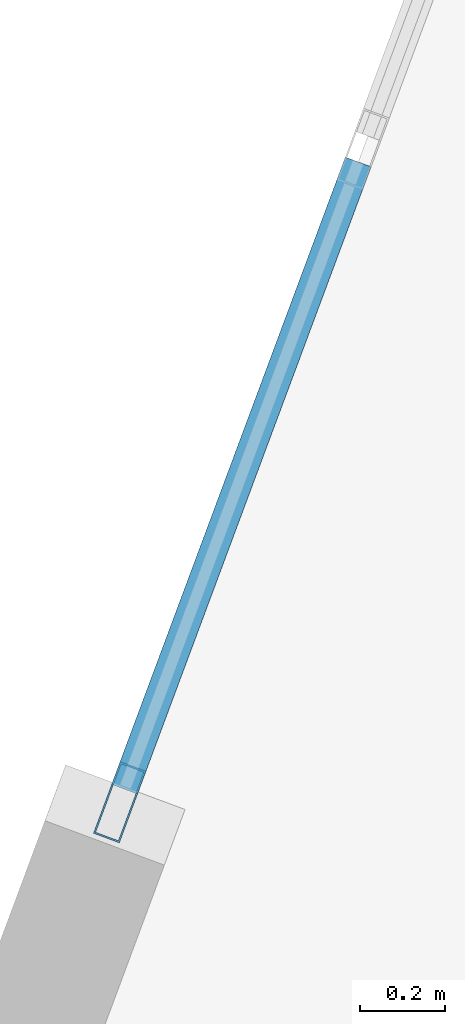
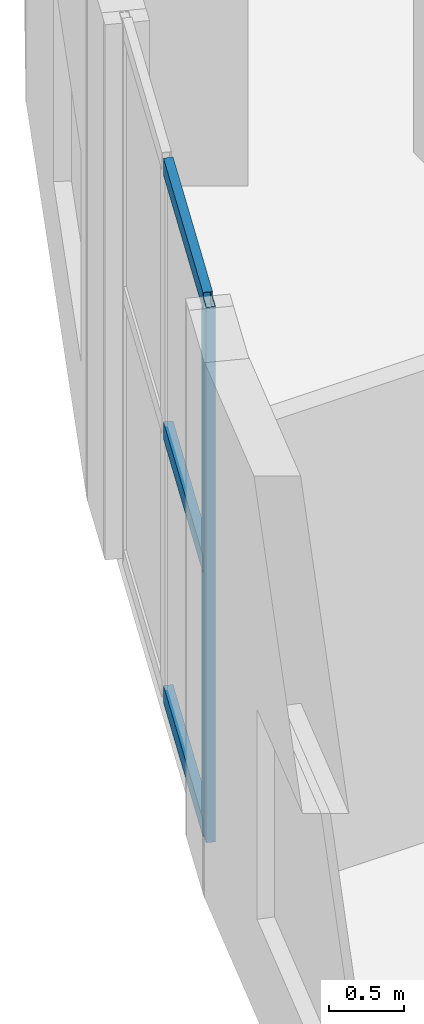
# One storey, part 4 of 17: 4 members, 1 element without a shape of its own.
"""IFC4 building model written with IfcOpenShell, lengths in metres."""

from ifc_helpers import new_model, si_unit, direction, frame, origin, origin_2d, place, context, subcontext, project, spatial, hollow_rectangle, extrude, material, layer, layer_set, material_profile, profile_set, type_object, element, aggregate, save


model = new_model("IFC4")

# Units and contexts
model_context = context("Model", 3, precision=1e-05, world=origin(), true_north=direction((0.0, 1.0)))
body_context = subcontext(model_context, "Body", "Model", "MODEL_VIEW")
ifc_project = project(units=[si_unit("LENGTHUNIT", "METRE"), si_unit("AREAUNIT", "SQUARE_METRE"), si_unit("VOLUMEUNIT", "CUBIC_METRE"), si_unit("PLANEANGLEUNIT", "RADIAN"), si_unit("MASSUNIT", "GRAM", prefix="KILO")], contexts=[model_context])

# Site, building, storey
site_placement = place(None, origin())
site = spatial("IfcSite", under=ifc_project, at=site_placement, CompositionType="ELEMENT")
building_placement = place(site_placement, origin())
building = spatial("IfcBuilding", under=site, at=building_placement, Name="Miruveldt Soraemaru", CompositionType="ELEMENT")
storey_placement = place(building_placement, frame((0.0, 0.0, 95.800048828125)))
storey = spatial("IfcBuildingStorey", under=building, at=storey_placement, Name="L26", CompositionType="ELEMENT", Elevation=95.800048828125)

# Curtain wall, members
ifc_material = material(Name="Anodised aluminium EN AW-6063 T6", Category="aluminium")
ifc_layer = layer(ifc_material, 0.179931640625, Name="Anodised aluminium EN AW-6063 T6", Category="aluminium")
ifc_layer_set = layer_set([ifc_layer], Name="Anodised aluminium EN AW-6063 T6")
curtain_wall_type = type_object("IfcCurtainWallType", Name="CW-SYS-4", PredefinedType="USERDEFINED", material=ifc_layer_set)
curtain_wall_placement = place(storey_placement, origin())
curtain_wall = element("IfcCurtainWall", 1, at=curtain_wall_placement, inside=storey, type_object=curtain_wall_type, Name="L26 Curtain Wall Bay 12", ObjectType="UNITISED GLAZING", PredefinedType="USERDEFINED")
ifc_material_profile_1 = material_profile(ifc_material, hollow_rectangle(XDim=0.06494140625, YDim=0.179931640625, WallThickness=0.00390625, at=origin_2d()), Name="Anodised aluminium EN AW-6063 T6", Category="aluminium")
ifc_profile_set_1 = profile_set([ifc_material_profile_1], Name="Anodised aluminium EN AW-6063 T6")
member_type_1 = type_object("IfcMemberType", Name="CWM-4", PredefinedType="MULLION", material=ifc_profile_set_1)
member_1_placement = place(storey_placement, frame((25.6025390625, 44.693359375, 0.0), z_axis=(0.0, 0.0, 1.0), x_axis=(0.937118512381, -0.349011308919, 0.0)))
member_1 = element("IfcMember", 2, at=member_1_placement, type_object=member_type_1, Name="CW-4 mullion 3", PredefinedType="MULLION", context=body_context, shape_type="SweptSolid", body=[
    extrude(hollow_rectangle(XDim=0.06494140625, YDim=0.179931640625, WallThickness=0.00390625, at=origin_2d()), origin(), (0.0, 0.0, 1.0), 4.3349609375),
])
ifc_material_profile_2 = material_profile(ifc_material, hollow_rectangle(XDim=0.06494140625, YDim=0.139892578125, WallThickness=0.00390625, at=origin_2d()), Name="Anodised aluminium EN AW-6063 T6", Category="aluminium")
ifc_profile_set_2 = profile_set([ifc_material_profile_2], Name="Anodised aluminium EN AW-6063 T6")
member_type_2 = type_object("IfcMemberType", Name="CWT-4", PredefinedType="USERDEFINED", material=ifc_profile_set_2)
member_2_placement = place(storey_placement, frame((26.1640625, 46.201171875, 0.032470703125), z_axis=(-0.349069025269, -0.937097015041, 0.0), x_axis=(0.937097015041, -0.349069025269, 0.0)))
member_2 = element("IfcMember", 3, at=member_2_placement, type_object=member_type_2, Name="CW-4 transom 2.1", ObjectType="TRANSOM", PredefinedType="USERDEFINED", context=body_context, shape_type="SweptSolid", body=[
    extrude(hollow_rectangle(XDim=0.06494140625, YDim=0.139892578125, WallThickness=0.00390625, at=origin_2d()), origin(), (0.0, 0.0, 1.0), 1.576416015625),
])
member_3_placement = place(storey_placement, frame((26.1640625, 46.201171875, 2.16748046875), z_axis=(-0.349069025269, -0.937097015041, 0.0), x_axis=(0.937097015041, -0.349069025269, 0.0)))
member_3 = element("IfcMember", 4, at=member_3_placement, type_object=member_type_2, Name="CW-4 transom 2.2", ObjectType="TRANSOM", PredefinedType="USERDEFINED", context=body_context, shape_type="SweptSolid", body=[
    extrude(hollow_rectangle(XDim=0.06494140625, YDim=0.139892578125, WallThickness=0.00390625, at=origin_2d()), origin(), (0.0, 0.0, 1.0), 1.576416015625),
])
member_4_placement = place(storey_placement, frame((26.1640625, 46.201171875, 4.302490234375), z_axis=(-0.349069025269, -0.937097015041, 0.0), x_axis=(0.937097015041, -0.349069025269, 0.0)))
member_4 = element("IfcMember", 5, at=member_4_placement, type_object=member_type_2, Name="CW-4 transom 2.3", ObjectType="TRANSOM", PredefinedType="USERDEFINED", context=body_context, shape_type="SweptSolid", body=[
    extrude(hollow_rectangle(XDim=0.06494140625, YDim=0.139892578125, WallThickness=0.00390625, at=origin_2d()), origin(), (0.0, 0.0, 1.0), 1.576416015625),
])
aggregate(curtain_wall, [member_1, member_2, member_3, member_4])

save(model, "model.ifc")
